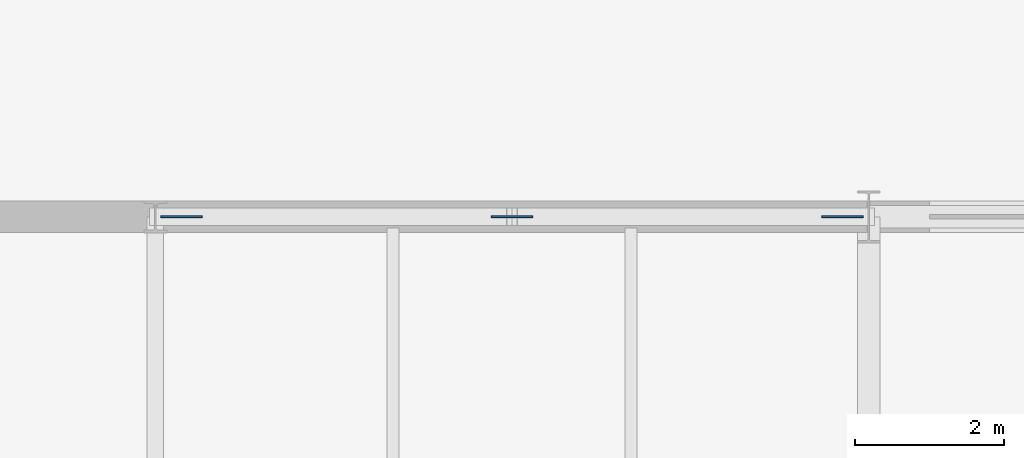
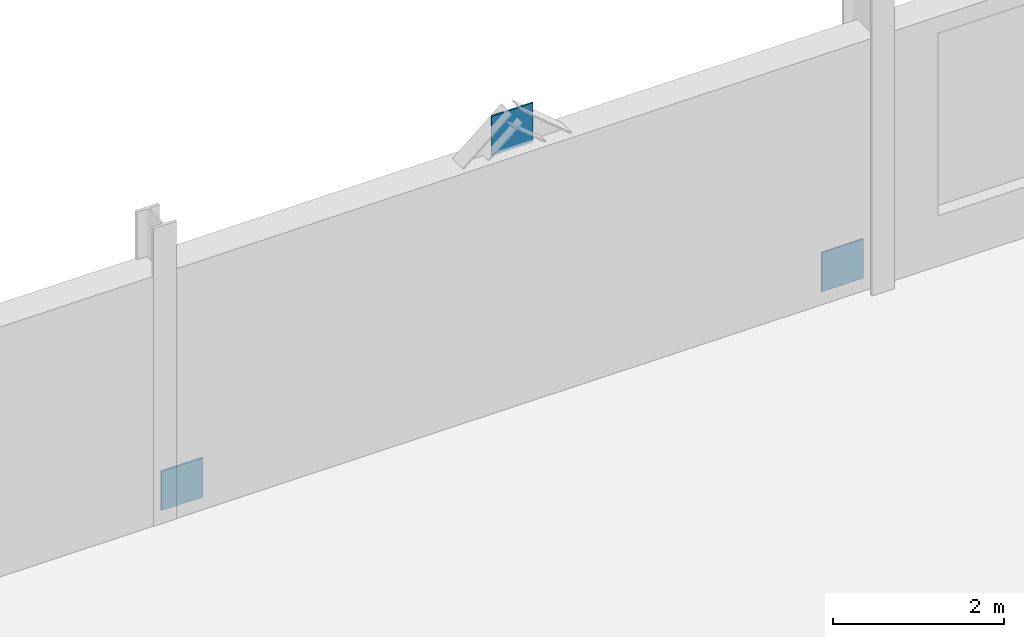
# One storey, part 54 of 78: 3 plates.
"""IFC4 building model written with IfcOpenShell, lengths in metres."""

from ifc_helpers import new_model, si_unit, direction, frame, origin, origin_2d, place, context, subcontext, project, spatial, rectangle, extrude, material, layer, layer_set, type_object, element, save


model = new_model("IFC4")

# Units and contexts
model_context = context("Model", 3, precision=1e-05, world=origin(), true_north=direction((0.0, 1.0)))
body_context = subcontext(model_context, "Body", "Model", "MODEL_VIEW")
ifc_project = project(units=[si_unit("LENGTHUNIT", "METRE"), si_unit("AREAUNIT", "SQUARE_METRE"), si_unit("VOLUMEUNIT", "CUBIC_METRE"), si_unit("PLANEANGLEUNIT", "RADIAN"), si_unit("MASSUNIT", "GRAM", prefix="KILO")], contexts=[model_context])

# Site, building, storey
site_placement = place(None, origin())
site = spatial("IfcSite", under=ifc_project, at=site_placement, CompositionType="ELEMENT")
building_placement = place(site_placement, origin())
building = spatial("IfcBuilding", under=site, at=building_placement, Name="Alderhovde Museum", CompositionType="ELEMENT")
storey_placement = place(building_placement, origin())
storey = spatial("IfcBuildingStorey", under=building, at=storey_placement, Name="L00", CompositionType="ELEMENT", Elevation=0.0)

# Plates
ifc_material = material(Name="Steel S355J2", Category="steel")
ifc_layer = layer(ifc_material, 0.02197265625)
ifc_layer_set = layer_set([ifc_layer], Name="Steel S355J2")
plate_type = type_object("IfcPlateType", Name="PLT-GUSSET-22", PredefinedType="USERDEFINED", material=ifc_layer_set)
for number, where, z_axis, x_axis, name in (
    (1, (38.75, 112.0, 0.02001953125), (0.0, 0.0, 1.0), (1.0, 0.0, 0.0), "L00 Brace End Gusset Plate BR-V4-N-BL"),
    (2, (47.64990234375, 112.0, 0.02001953125), (0.0, 0.0, 1.0), (1.0, 0.0, 0.0), "L00 Brace End Gusset Plate BR-V4-N-BR"),
    (3, (43.199951171875, 112.0, 3.52001953125), (0.0, 0.0, 1.0), (1.0, 0.0, 0.0), "L00 Brace End Gusset Plate BR-V4-N-APX"),
):
    element("IfcPlate", number, at=place(storey_placement, frame(where, z_axis=z_axis, x_axis=x_axis)), inside=storey, type_object=plate_type, Name=name, ObjectType="GUSSET PLATE", PredefinedType="USERDEFINED", context=body_context, shape_type="SweptSolid", body=[
        extrude(rectangle(XDim=0.56005859375, YDim=0.02197265625, at=origin_2d()), origin(), (0.0, 0.0, 1.0), 0.56005859375),
    ])

save(model, "model.ifc")
